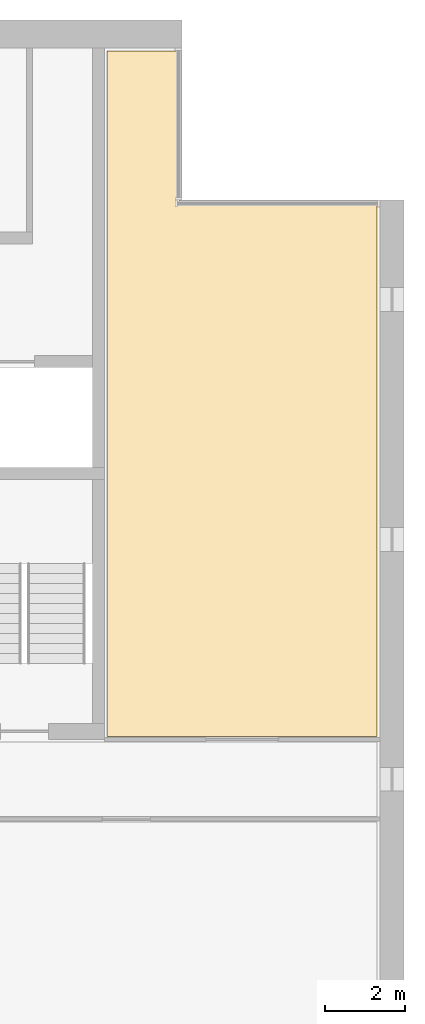
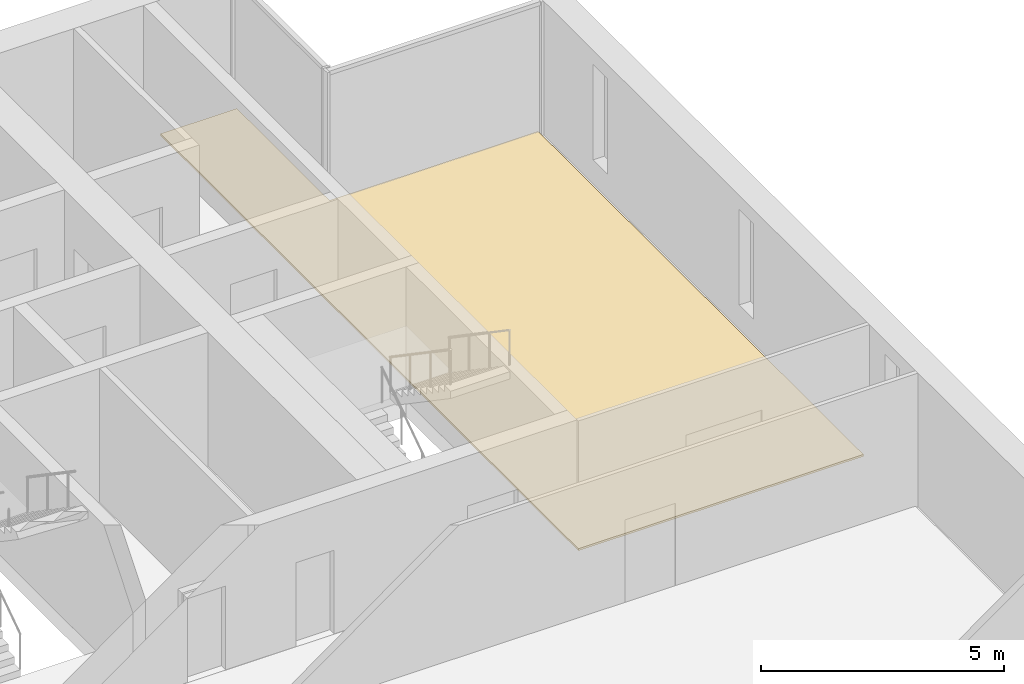
# One storey, part 17 of 17: 1 covering.
"""IFC4 building model written with IfcOpenShell, lengths in metres."""

import ifcopenshell
import ifcopenshell.guid

model = None  # the IFC model being written
_history = None  # IfcOwnerHistory: only IFC2X3 demands one
_inside = {}  # id of a spatial element -> (the spatial element, [elements in it])
_under = {}  # id of a project, library or spatial element -> (it, [spatial elements below it])
_declared = {}  # id of a project -> (the project, [libraries it declares])
_typed = {}  # id of a type object -> (the type object, [elements of that type])
_made_of = {}  # id of a material, layer set ... -> (it, [elements and type objects made of it])


def new_model(schema):
    """Start an empty IFC model of exactly this schema.

    Asked for "IFC4X3", IfcOpenShell would pick the latest addendum, in which some entities
    have other attributes; the version numbers below select the first issue.
    IFC2X3 requires an IfcOwnerHistory on every rooted entity: one is made here for all.
    """
    global model, _history
    if schema == "IFC4X3":
        model = ifcopenshell.file(schema_version=(4, 3, 0, 0))
    else:
        model = ifcopenshell.file(schema=schema)
    _inside.clear()
    _under.clear()
    _declared.clear()
    _typed.clear()
    _made_of.clear()
    _history = None
    if model.schema == "IFC2X3":
        org = make("IfcOrganization", Name="unknown")
        user = make(
            "IfcPersonAndOrganization",
            ThePerson=make("IfcPerson", FamilyName="unknown"),
            TheOrganization=org,
        )
        app = make(
            "IfcApplication",
            ApplicationDeveloper=org,
            Version="unknown",
            ApplicationFullName="unknown",
            ApplicationIdentifier="unknown",
        )
        _history = make(
            "IfcOwnerHistory",
            OwningUser=user,
            OwningApplication=app,
            ChangeAction="ADDED",
            CreationDate=0,
        )
    return model


def make(cls, **values):
    """One entity of the class cls with the attributes given. An attribute that is None is left unset."""
    return model.create_entity(
        cls, **{name: value for name, value in values.items() if value is not None}
    )


def rooted(cls, **values):
    """An entity with a GlobalId (a new one), such as an element, a storey or a relation."""
    return make(cls, GlobalId=ifcopenshell.guid.new(), OwnerHistory=_history, **values)


def si_unit(unit_type, name, prefix=None):
    """IfcSIUnit, for example si_unit("LENGTHUNIT", "METRE", prefix="MILLI")."""
    return make("IfcSIUnit", UnitType=unit_type, Prefix=prefix, Name=name)


def assignment(units):
    """IfcUnitAssignment: the units of a project."""
    return None if units is None else make("IfcUnitAssignment", Units=units)


def point(xyz):
    """IfcCartesianPoint."""
    return None if xyz is None else make("IfcCartesianPoint", Coordinates=xyz)


def direction(xyz):
    """IfcDirection."""
    return None if xyz is None else make("IfcDirection", DirectionRatios=xyz)


def frame(location, z_axis=None, x_axis=None):
    """IfcAxis2Placement3D, a coordinate frame: its origin and axes. An axis left out is left unset."""
    return make(
        "IfcAxis2Placement3D",
        Location=point(location),
        Axis=direction(z_axis),
        RefDirection=direction(x_axis),
    )


def origin():
    """The frame at (0, 0, 0) with its axes left unset."""
    return frame((0.0, 0.0, 0.0))


def place(relative_to, where):
    """IfcLocalPlacement: puts the frame where relative to a parent placement (None: the world)."""
    return make(
        "IfcLocalPlacement", PlacementRelTo=relative_to, RelativePlacement=where
    )


def context(
    kind, dimensions, precision=None, world=None, true_north=None, identifier=None
):
    """IfcGeometricRepresentationContext, for example the 3D "Model" context."""
    return make(
        "IfcGeometricRepresentationContext",
        ContextIdentifier=identifier,
        ContextType=kind,
        CoordinateSpaceDimension=dimensions,
        Precision=precision,
        WorldCoordinateSystem=world,
        TrueNorth=true_north,
    )


def subcontext(parent, identifier, kind, view, scale=None):
    """IfcGeometricRepresentationSubContext, for example "Body" below "Model"."""
    return make(
        "IfcGeometricRepresentationSubContext",
        ContextIdentifier=identifier,
        ContextType=kind,
        ParentContext=parent,
        TargetScale=scale,
        TargetView=view,
    )


def project(units=None, contexts=None):
    """IfcProject with its units and contexts."""
    return rooted(
        "IfcProject",
        Name="project",
        RepresentationContexts=contexts,
        UnitsInContext=assignment(units),
    )


def spatial(cls, under=None, at=None, **own):
    """A site, building, storey or space (cls), placed at a placement, below another one or the project."""
    s = rooted(cls, ObjectPlacement=at, **own)
    if under is not None:
        _under.setdefault(under.id(), (under, []))[1].append(s)
    return s


def polyline(points):
    """IfcPolyline through the points."""
    return make("IfcPolyline", Points=[point(p) for p in points])


def outline(outer, holes=None, kind="AREA"):
    """IfcArbitraryClosedProfileDef: a profile drawn as a closed curve; with holes, ...WithVoids."""
    if holes is None:
        return make("IfcArbitraryClosedProfileDef", ProfileType=kind, OuterCurve=outer)
    return make(
        "IfcArbitraryProfileDefWithVoids",
        ProfileType=kind,
        OuterCurve=outer,
        InnerCurves=holes,
    )


def extrude(swept, where, along, depth):
    """IfcExtrudedAreaSolid: the profile swept, set in the frame where, extruded along a direction by depth."""
    return make(
        "IfcExtrudedAreaSolid",
        SweptArea=swept,
        Position=where,
        ExtrudedDirection=direction(along),
        Depth=depth,
    )


def shape(context_of_items, identifier, shape_type, items):
    """IfcShapeRepresentation: the items that make up one representation, for example the "Body"."""
    return make(
        "IfcShapeRepresentation",
        ContextOfItems=context_of_items,
        RepresentationIdentifier=identifier,
        RepresentationType=shape_type,
        Items=items,
    )


def material(Name=None, Category=None):
    """IfcMaterial."""
    return make("IfcMaterial", Name=Name, Category=Category)


def layer(
    of_material, thickness, ventilated=None, Name=None, Category=None, Priority=None
):
    """IfcMaterialLayer: one layer of a wall or slab, of a material (None: an air gap)."""
    return make(
        "IfcMaterialLayer",
        Material=of_material,
        LayerThickness=thickness,
        IsVentilated=ventilated,
        Name=Name,
        Category=Category,
        Priority=Priority,
    )


def layer_set(layers, Name=None):
    """IfcMaterialLayerSet."""
    return make("IfcMaterialLayerSet", MaterialLayers=layers, LayerSetName=Name)


def made_of(thing, what):
    """Note that an element or type object is made of a material, layer set ...; save() writes the relation."""
    if what is not None:
        _made_of.setdefault(what.id(), (what, []))[1].append(thing)
    return thing


def type_object(cls, material=None, **own):
    """A type object (cls), such as IfcWallType, which elements share."""
    return made_of(rooted(cls, **own), material)


def element(
    cls,
    number,
    at=None,
    inside=None,
    cuts=None,
    type_object=None,
    material=None,
    context=None,
    identifier="Body",
    shape_type=None,
    held_by="IfcProductDefinitionShape",
    body=None,
    shapes=None,
    **own,
):
    """One element of the class cls, such as IfcWall. Its Tag is "e" and its number.

    at: its placement. inside: the storey or other place that contains it. cuts: it is an
    opening in that element (IfcRelVoidsElement). A single representation is given by context,
    identifier, shape_type and body (its items); several are given by shapes. held_by: the class
    of the entity that holds the representations. save() writes the other relations.
    """
    e = rooted(cls, Tag="e%d" % number, ObjectPlacement=at, **own)
    if body is not None:
        shapes = [shape(context, identifier, shape_type, body)]
    if shapes is not None:
        e.Representation = make(held_by, Representations=shapes)
    if inside is not None:
        _inside.setdefault(inside.id(), (inside, []))[1].append(e)
    if cuts is not None:
        rooted(
            "IfcRelVoidsElement", RelatingBuildingElement=cuts, RelatedOpeningElement=e
        )
    if type_object is not None:
        _typed.setdefault(type_object.id(), (type_object, []))[1].append(e)
    return made_of(e, material)


def aggregate(whole, parts):
    """IfcRelAggregates: a whole, such as a stair, and the parts it consists of."""
    return rooted("IfcRelAggregates", RelatingObject=whole, RelatedObjects=parts)


def save(model, path):
    """Write the relations noted so far, then the file.

    IfcRelAggregates (storeys below a building ...), IfcRelContainedInSpatialStructure (elements
    in a storey), IfcRelDefinesByType, IfcRelAssociatesMaterial and IfcRelDeclares: one each for
    every whole, place, type object, material and project.
    """
    for whole, parts in _under.values():
        aggregate(whole, parts)
    for where, things in _inside.values():
        rooted(
            "IfcRelContainedInSpatialStructure",
            RelatedElements=things,
            RelatingStructure=where,
        )
    for kind, things in _typed.values():
        rooted("IfcRelDefinesByType", RelatedObjects=things, RelatingType=kind)
    for what, things in _made_of.values():
        rooted("IfcRelAssociatesMaterial", RelatedObjects=things, RelatingMaterial=what)
    for by, libraries in _declared.values():
        rooted("IfcRelDeclares", RelatingContext=by, RelatedDefinitions=libraries)
    model.write(path)


model = new_model("IFC4")

# Units and contexts
model_context = context("Model", 3, precision=1e-05, world=origin(), true_north=direction((0.0, 1.0)))
body_context = subcontext(model_context, "Body", "Model", "MODEL_VIEW")
ifc_project = project(units=[si_unit("LENGTHUNIT", "METRE"), si_unit("AREAUNIT", "SQUARE_METRE"), si_unit("VOLUMEUNIT", "CUBIC_METRE"), si_unit("PLANEANGLEUNIT", "RADIAN"), si_unit("MASSUNIT", "GRAM", prefix="KILO")], contexts=[model_context])

# Site, building, storey
site_placement = place(None, origin())
site = spatial("IfcSite", under=ifc_project, at=site_placement, CompositionType="ELEMENT")
building_placement = place(site_placement, origin())
building = spatial("IfcBuilding", under=site, at=building_placement, Name="Calvaro Tower", CompositionType="ELEMENT")
storey_placement = place(building_placement, frame((0.0, 0.0, 196.75)))
storey = spatial("IfcBuildingStorey", under=building, at=storey_placement, Name="L49", CompositionType="ELEMENT", Elevation=196.75)

# Covering
ifc_material = material(Name="Cement screed with carpet tile finish")
ifc_layer = layer(ifc_material, 0.050048828125)
ifc_layer_set = layer_set([ifc_layer], Name="Cement screed with carpet tile finish")
covering_type = type_object("IfcCoveringType", Name="Floor finish 50", PredefinedType="FLOORING", material=ifc_layer_set)
covering_placement = place(storey_placement, origin())
element("IfcCovering", 1, at=covering_placement, inside=storey, type_object=covering_type, Name="Floor finish 28.16", PredefinedType="FLOORING", context=body_context, shape_type="SweptSolid", body=[
    extrude(outline(polyline([(71.330078125, 28.070068359375), (64.570068359375, 28.070068359375), (64.570068359375, 45.22998046875), (66.3798828125, 45.22998046875), (66.3798828125, 41.429931640625), (71.330078125, 41.429931640625), (71.330078125, 28.070068359375)])), origin(), (0.0, 0.0, 1.0), 0.050048828125),
])

save(model, "model.ifc")
